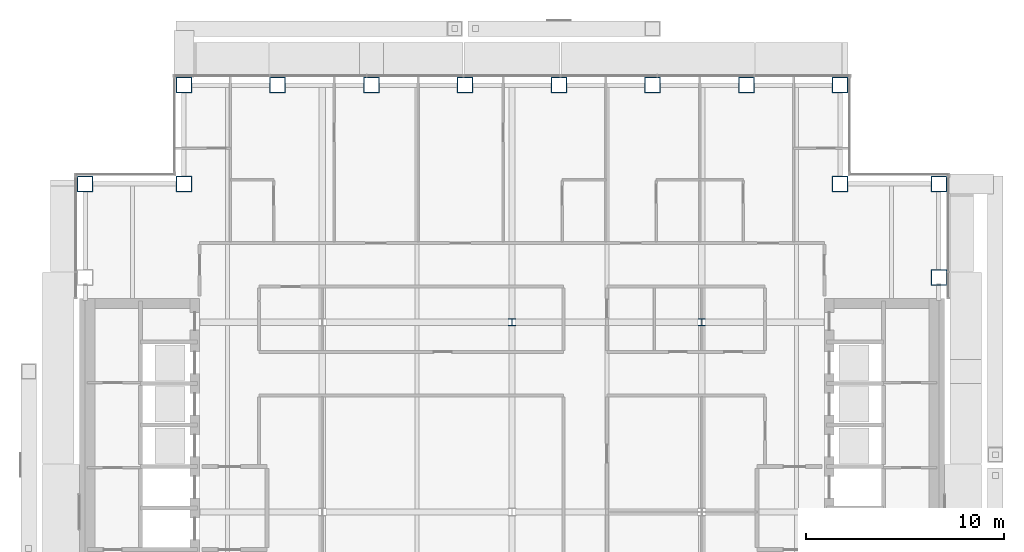
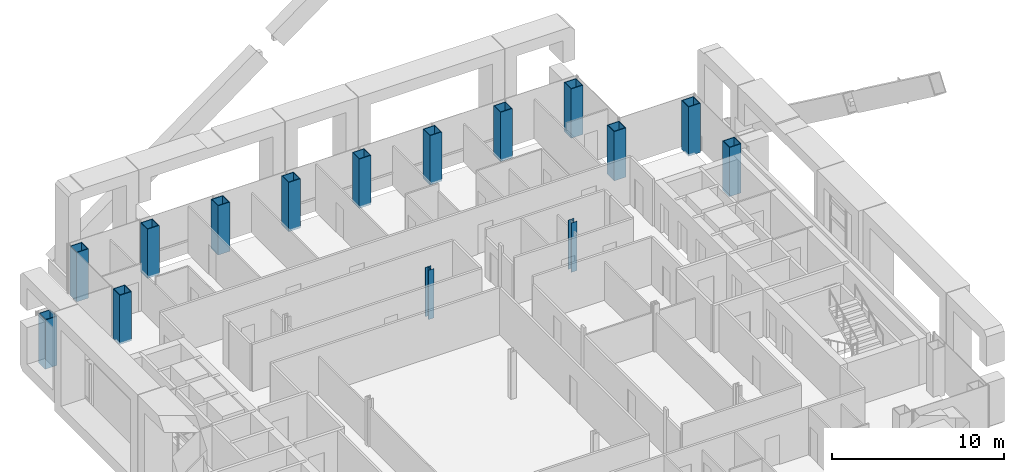
# One storey, part 2 of 22: 15 columns.
"""IFC4 building model written with IfcOpenShell, lengths in metres."""

import ifcopenshell
import ifcopenshell.guid

model = None  # the IFC model being written
_history = None  # IfcOwnerHistory: only IFC2X3 demands one
_inside = {}  # id of a spatial element -> (the spatial element, [elements in it])
_under = {}  # id of a project, library or spatial element -> (it, [spatial elements below it])
_declared = {}  # id of a project -> (the project, [libraries it declares])
_typed = {}  # id of a type object -> (the type object, [elements of that type])
_made_of = {}  # id of a material, layer set ... -> (it, [elements and type objects made of it])


def new_model(schema):
    """Start an empty IFC model of exactly this schema.

    Asked for "IFC4X3", IfcOpenShell would pick the latest addendum, in which some entities
    have other attributes; the version numbers below select the first issue.
    IFC2X3 requires an IfcOwnerHistory on every rooted entity: one is made here for all.
    """
    global model, _history
    if schema == "IFC4X3":
        model = ifcopenshell.file(schema_version=(4, 3, 0, 0))
    else:
        model = ifcopenshell.file(schema=schema)
    _inside.clear()
    _under.clear()
    _declared.clear()
    _typed.clear()
    _made_of.clear()
    _history = None
    if model.schema == "IFC2X3":
        org = make("IfcOrganization", Name="unknown")
        user = make(
            "IfcPersonAndOrganization",
            ThePerson=make("IfcPerson", FamilyName="unknown"),
            TheOrganization=org,
        )
        app = make(
            "IfcApplication",
            ApplicationDeveloper=org,
            Version="unknown",
            ApplicationFullName="unknown",
            ApplicationIdentifier="unknown",
        )
        _history = make(
            "IfcOwnerHistory",
            OwningUser=user,
            OwningApplication=app,
            ChangeAction="ADDED",
            CreationDate=0,
        )
    return model


def make(cls, **values):
    """One entity of the class cls with the attributes given. An attribute that is None is left unset."""
    return model.create_entity(
        cls, **{name: value for name, value in values.items() if value is not None}
    )


def rooted(cls, **values):
    """An entity with a GlobalId (a new one), such as an element, a storey or a relation."""
    return make(cls, GlobalId=ifcopenshell.guid.new(), OwnerHistory=_history, **values)


def si_unit(unit_type, name, prefix=None):
    """IfcSIUnit, for example si_unit("LENGTHUNIT", "METRE", prefix="MILLI")."""
    return make("IfcSIUnit", UnitType=unit_type, Prefix=prefix, Name=name)


def assignment(units):
    """IfcUnitAssignment: the units of a project."""
    return None if units is None else make("IfcUnitAssignment", Units=units)


def point(xyz):
    """IfcCartesianPoint."""
    return None if xyz is None else make("IfcCartesianPoint", Coordinates=xyz)


def direction(xyz):
    """IfcDirection."""
    return None if xyz is None else make("IfcDirection", DirectionRatios=xyz)


def frame(location, z_axis=None, x_axis=None):
    """IfcAxis2Placement3D, a coordinate frame: its origin and axes. An axis left out is left unset."""
    return make(
        "IfcAxis2Placement3D",
        Location=point(location),
        Axis=direction(z_axis),
        RefDirection=direction(x_axis),
    )


def frame_2d(location, x_axis=None):
    """IfcAxis2Placement2D, a coordinate frame in the plane: its origin and x axis."""
    return make(
        "IfcAxis2Placement2D", Location=point(location), RefDirection=direction(x_axis)
    )


def origin():
    """The frame at (0, 0, 0) with its axes left unset."""
    return frame((0.0, 0.0, 0.0))


def origin_2d():
    """The frame at (0, 0) in the plane with its x axis left unset."""
    return frame_2d((0.0, 0.0))


def place(relative_to, where):
    """IfcLocalPlacement: puts the frame where relative to a parent placement (None: the world)."""
    return make(
        "IfcLocalPlacement", PlacementRelTo=relative_to, RelativePlacement=where
    )


def context(
    kind, dimensions, precision=None, world=None, true_north=None, identifier=None
):
    """IfcGeometricRepresentationContext, for example the 3D "Model" context."""
    return make(
        "IfcGeometricRepresentationContext",
        ContextIdentifier=identifier,
        ContextType=kind,
        CoordinateSpaceDimension=dimensions,
        Precision=precision,
        WorldCoordinateSystem=world,
        TrueNorth=true_north,
    )


def subcontext(parent, identifier, kind, view, scale=None):
    """IfcGeometricRepresentationSubContext, for example "Body" below "Model"."""
    return make(
        "IfcGeometricRepresentationSubContext",
        ContextIdentifier=identifier,
        ContextType=kind,
        ParentContext=parent,
        TargetScale=scale,
        TargetView=view,
    )


def project(units=None, contexts=None):
    """IfcProject with its units and contexts."""
    return rooted(
        "IfcProject",
        Name="project",
        RepresentationContexts=contexts,
        UnitsInContext=assignment(units),
    )


def spatial(cls, under=None, at=None, **own):
    """A site, building, storey or space (cls), placed at a placement, below another one or the project."""
    s = rooted(cls, ObjectPlacement=at, **own)
    if under is not None:
        _under.setdefault(under.id(), (under, []))[1].append(s)
    return s


def profile(cls, at=None, kind="AREA", **sizes):
    """A parametric profile (cls). Its sizes go by their IFC names, for example OverallWidth=200.0."""
    return make(cls, ProfileType=kind, Position=at, **sizes)


def hollow_rectangle(**sizes):
    """IfcRectangleHollowProfileDef."""
    return profile("IfcRectangleHollowProfileDef", **sizes)


def i_section(**sizes):
    """IfcIShapeProfileDef."""
    return profile("IfcIShapeProfileDef", **sizes)


def extrude(swept, where, along, depth):
    """IfcExtrudedAreaSolid: the profile swept, set in the frame where, extruded along a direction by depth."""
    return make(
        "IfcExtrudedAreaSolid",
        SweptArea=swept,
        Position=where,
        ExtrudedDirection=direction(along),
        Depth=depth,
    )


def shape(context_of_items, identifier, shape_type, items):
    """IfcShapeRepresentation: the items that make up one representation, for example the "Body"."""
    return make(
        "IfcShapeRepresentation",
        ContextOfItems=context_of_items,
        RepresentationIdentifier=identifier,
        RepresentationType=shape_type,
        Items=items,
    )


def material(Name=None, Category=None):
    """IfcMaterial."""
    return make("IfcMaterial", Name=Name, Category=Category)


def material_profile(
    of_material, cross_section, Name=None, Category=None, Priority=None
):
    """IfcMaterialProfile: a cross section and its material."""
    return make(
        "IfcMaterialProfile",
        Name=Name,
        Material=of_material,
        Profile=cross_section,
        Priority=Priority,
        Category=Category,
    )


def profile_set(profiles, Name=None, composite=None):
    """IfcMaterialProfileSet."""
    return make(
        "IfcMaterialProfileSet",
        Name=Name,
        MaterialProfiles=profiles,
        CompositeProfile=composite,
    )


def made_of(thing, what):
    """Note that an element or type object is made of a material, layer set ...; save() writes the relation."""
    if what is not None:
        _made_of.setdefault(what.id(), (what, []))[1].append(thing)
    return thing


def type_object(cls, material=None, **own):
    """A type object (cls), such as IfcWallType, which elements share."""
    return made_of(rooted(cls, **own), material)


def element(
    cls,
    number,
    at=None,
    inside=None,
    cuts=None,
    type_object=None,
    material=None,
    context=None,
    identifier="Body",
    shape_type=None,
    held_by="IfcProductDefinitionShape",
    body=None,
    shapes=None,
    **own,
):
    """One element of the class cls, such as IfcWall. Its Tag is "e" and its number.

    at: its placement. inside: the storey or other place that contains it. cuts: it is an
    opening in that element (IfcRelVoidsElement). A single representation is given by context,
    identifier, shape_type and body (its items); several are given by shapes. held_by: the class
    of the entity that holds the representations. save() writes the other relations.
    """
    e = rooted(cls, Tag="e%d" % number, ObjectPlacement=at, **own)
    if body is not None:
        shapes = [shape(context, identifier, shape_type, body)]
    if shapes is not None:
        e.Representation = make(held_by, Representations=shapes)
    if inside is not None:
        _inside.setdefault(inside.id(), (inside, []))[1].append(e)
    if cuts is not None:
        rooted(
            "IfcRelVoidsElement", RelatingBuildingElement=cuts, RelatedOpeningElement=e
        )
    if type_object is not None:
        _typed.setdefault(type_object.id(), (type_object, []))[1].append(e)
    return made_of(e, material)


def aggregate(whole, parts):
    """IfcRelAggregates: a whole, such as a stair, and the parts it consists of."""
    return rooted("IfcRelAggregates", RelatingObject=whole, RelatedObjects=parts)


def save(model, path):
    """Write the relations noted so far, then the file.

    IfcRelAggregates (storeys below a building ...), IfcRelContainedInSpatialStructure (elements
    in a storey), IfcRelDefinesByType, IfcRelAssociatesMaterial and IfcRelDeclares: one each for
    every whole, place, type object, material and project.
    """
    for whole, parts in _under.values():
        aggregate(whole, parts)
    for where, things in _inside.values():
        rooted(
            "IfcRelContainedInSpatialStructure",
            RelatedElements=things,
            RelatingStructure=where,
        )
    for kind, things in _typed.values():
        rooted("IfcRelDefinesByType", RelatedObjects=things, RelatingType=kind)
    for what, things in _made_of.values():
        rooted("IfcRelAssociatesMaterial", RelatedObjects=things, RelatingMaterial=what)
    for by, libraries in _declared.values():
        rooted("IfcRelDeclares", RelatingContext=by, RelatedDefinitions=libraries)
    model.write(path)


model = new_model("IFC4")

# Units and contexts
model_context = context("Model", 3, precision=1e-05, world=origin(), true_north=direction((0.0, 1.0)))
body_context = subcontext(model_context, "Body", "Model", "MODEL_VIEW")
ifc_project = project(units=[si_unit("LENGTHUNIT", "METRE"), si_unit("AREAUNIT", "SQUARE_METRE"), si_unit("VOLUMEUNIT", "CUBIC_METRE"), si_unit("PLANEANGLEUNIT", "RADIAN"), si_unit("MASSUNIT", "GRAM", prefix="KILO")], contexts=[model_context])

# Site, building, storey
site_placement = place(None, origin())
site = spatial("IfcSite", under=ifc_project, at=site_placement, CompositionType="ELEMENT")
building_placement = place(site_placement, origin())
building = spatial("IfcBuilding", under=site, at=building_placement, Name="Cobrizo Arcos Hotel Tower", CompositionType="ELEMENT")
storey_placement = place(building_placement, frame((0.0, 0.0, 162.0)))
storey = spatial("IfcBuildingStorey", under=building, at=storey_placement, Name="L41", CompositionType="ELEMENT", Elevation=162.0)

# Columns
ifc_material_1 = material(Name="Steel ASTM A572 Grade 50", Category="steel")
ifc_material_profile_1 = material_profile(ifc_material_1, hollow_rectangle(XDim=0.800048828125, YDim=0.800048828125, WallThickness=0.044921875, at=origin_2d()), Name="BOX 800X800X45")
ifc_profile_set_1 = profile_set([ifc_material_profile_1], Name="Steel ASTM A572 Grade 50")
column_type_1 = type_object("IfcColumnType", Name="BOX 800X800X45 column", PredefinedType="COLUMN", material=ifc_profile_set_1)
for number, where, z_axis, x_axis, name in (
    (1, (-16.60009765625, 21.60009765625, -0.14990234375), (0.0, 0.0, 1.0), (1.0, 0.0, 0.0), "Perimeter column C8, L41, no. 00"),
    (2, (-11.85693359375, 21.60009765625, -0.14990234375), (0.0, 0.0, 1.0), (1.0, 0.0, 0.0), "Perimeter column C8, L41, no. 02"),
    (3, (-7.114013671875, 21.60009765625, -0.14990234375), (0.0, 0.0, 1.0), (1.0, 0.0, 0.0), "Perimeter column C8, L41, no. 04"),
    (4, (-2.37109375, 21.60009765625, -0.14990234375), (0.0, 0.0, 1.0), (1.0, 0.0, 0.0), "Perimeter column C8, L41, no. 06"),
    (5, (2.37109375, 21.60009765625, -0.14990234375), (0.0, 0.0, 1.0), (1.0, 0.0, 0.0), "Perimeter column C8, L41, no. 08"),
    (6, (7.114013671875, 21.60009765625, -0.14990234375), (0.0, 0.0, 1.0), (1.0, 0.0, 0.0), "Perimeter column C8, L41, no. 10"),
    (7, (11.85693359375, 21.60009765625, -0.14990234375), (0.0, 0.0, 1.0), (1.0, 0.0, 0.0), "Perimeter column C8, L41, no. 12"),
    (8, (16.60009765625, 21.60009765625, -0.14990234375), (0.0, 0.0, 1.0), (1.0, 0.0, 0.0), "Perimeter column C8, L41, no. 14"),
    (9, (21.60009765625, 11.85693359375, -0.14990234375), (0.0, 0.0, 1.0), (1.0, 0.0, 0.0), "Perimeter column C8, L41, no. 20"),
    (10, (21.60009765625, 16.60009765625, -0.14990234375), (0.0, 0.0, 1.0), (1.0, 0.0, 0.0), "Perimeter column C8, L41, no. 22"),
    (11, (-21.60009765625, 16.60009765625, -0.14990234375), (0.0, 0.0, 1.0), (1.0, 0.0, 0.0), "Perimeter column C8, L41, no. 23"),
    (12, (-16.60009765625, 16.60009765625, -0.14990234375), (0.0, 0.0, 1.0), (1.0, 0.0, 0.0), "Perimeter column C8, L41, no. 25"),
    (13, (16.60009765625, 16.60009765625, -0.14990234375), (0.0, 0.0, 1.0), (1.0, 0.0, 0.0), "Perimeter column C8, L41, no. 27"),
):
    element("IfcColumn", number, at=place(storey_placement, frame(where, z_axis=z_axis, x_axis=x_axis)), inside=storey, type_object=column_type_1, Name=name, PredefinedType="COLUMN", context=body_context, shape_type="SweptSolid", body=[
        extrude(hollow_rectangle(XDim=0.800048828125, YDim=0.800048828125, WallThickness=0.044921875, at=origin_2d()), origin(), (0.0, 0.0, 1.0), 3.5),
    ])
ifc_material_2 = material(Name="Steel ASTM A992 Grade 50", Category="steel")
ifc_material_profile_2 = material_profile(ifc_material_2, i_section(OverallWidth=0.373291015625, OverallDepth=0.373291015625, WebThickness=0.016357421875, FlangeThickness=0.026123046875, at=origin_2d()), Name="W14X132")
ifc_profile_set_2 = profile_set([ifc_material_profile_2], Name="Steel ASTM A992 Grade 50")
column_type_2 = type_object("IfcColumnType", Name="W14X132 interior column", PredefinedType="COLUMN", material=ifc_profile_set_2)
for number, where, z_axis, x_axis, name in (
    (14, (0.0, 9.60009765625, -0.14990234375), (0.0, 0.0, 1.0), (1.0, 0.0, 0.0), "Interior column C9, L41, no. 05"),
    (15, (9.60009765625, 9.60009765625, -0.14990234375), (0.0, 0.0, 1.0), (1.0, 0.0, 0.0), "Interior column C9, L41, no. 08"),
):
    element("IfcColumn", number, at=place(storey_placement, frame(where, z_axis=z_axis, x_axis=x_axis)), inside=storey, type_object=column_type_2, Name=name, PredefinedType="COLUMN", context=body_context, shape_type="SweptSolid", body=[
        extrude(i_section(OverallWidth=0.373291015625, OverallDepth=0.373291015625, WebThickness=0.016357421875, FlangeThickness=0.026123046875, at=origin_2d()), origin(), (0.0, 0.0, 1.0), 3.5),
    ])

save(model, "model.ifc")
